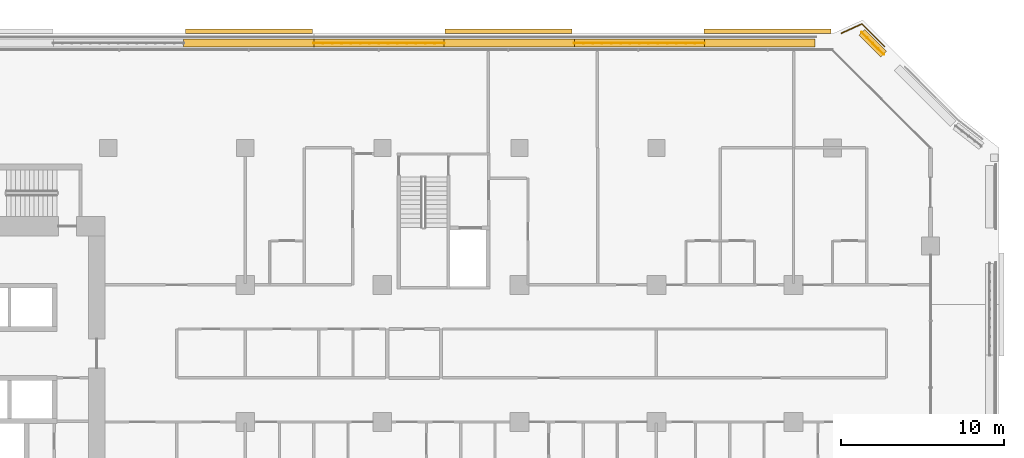
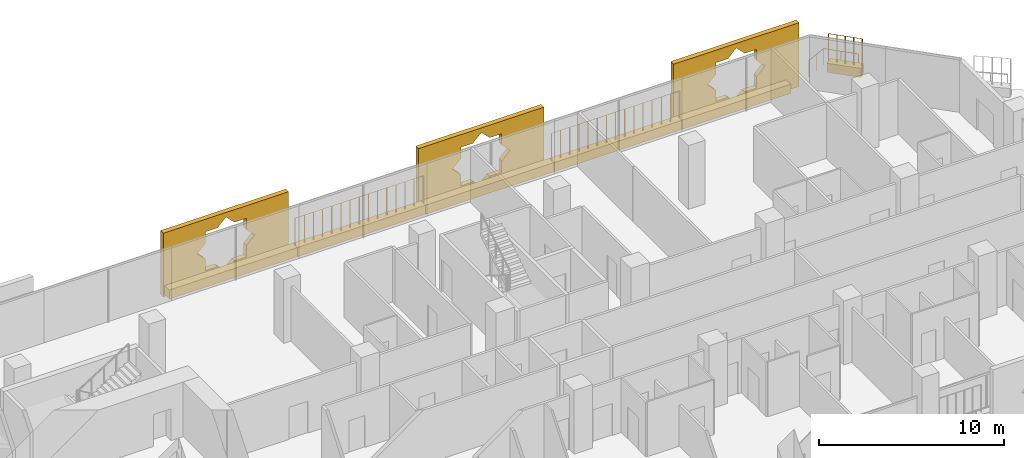
# One storey, part 26 of 26: 9 coverings, 4 railings.
"""IFC4 building model written with IfcOpenShell, lengths in metres."""

from ifc_helpers import new_model, si_unit, direction, frame, origin, origin_2d, place, context, subcontext, project, spatial, polyline, rectangle, circle, outline, extrude, material, material_profile, profile_set, type_object, element, save


model = new_model("IFC4")

# Units and contexts
model_context = context("Model", 3, precision=1e-05, world=origin(), true_north=direction((0.0, 1.0)))
body_context = subcontext(model_context, "Body", "Model", "MODEL_VIEW")
ifc_project = project(units=[si_unit("LENGTHUNIT", "METRE"), si_unit("AREAUNIT", "SQUARE_METRE"), si_unit("VOLUMEUNIT", "CUBIC_METRE"), si_unit("PLANEANGLEUNIT", "RADIAN"), si_unit("MASSUNIT", "GRAM", prefix="KILO")], contexts=[model_context])

# Site, building, storey
site_placement = place(None, origin())
site = spatial("IfcSite", under=ifc_project, at=site_placement, CompositionType="ELEMENT")
building_placement = place(site_placement, origin())
building = spatial("IfcBuilding", under=site, at=building_placement, Name="Kawkab Arch Medical Tower", CompositionType="ELEMENT")
storey_placement = place(building_placement, frame((0.0, 0.0, 119.800048828125)))
storey = spatial("IfcBuildingStorey", under=building, at=storey_placement, Name="L27", CompositionType="ELEMENT", Elevation=119.800048828125)

# Railing
ifc_material_1 = material(Name="Bronze anodised aluminium guard", Category="aluminium")
railing_type_1 = type_object("IfcRailingType", Name="Loggia and terrace guard 1100", PredefinedType="GUARDRAIL", material=ifc_material_1)
railing_1_placement = place(storey_placement, frame((70.14794921875, 7.030029296875, 0.0)))
element("IfcRailing", 1, at=railing_1_placement, inside=storey, type_object=railing_type_1, Name="Guard L27.LOG-01.1.2", PredefinedType="GUARDRAIL", context=body_context, shape_type="SweptSolid", body=[
    extrude(circle(Radius=0.02392578125, at=origin_2d()), frame((0.0, 0.0, 1.076171875), z_axis=(0.910085591366, 0.414420337807, 0.0), x_axis=(-0.414420337807, 0.910085591366, 0.0)), (0.0, 0.0, 1.0), 1.370361328125),
    extrude(circle(Radius=0.02392578125, at=origin_2d()), frame((1.2470703125, 0.56787109375, 1.076171875), z_axis=(0.707106781187, -0.707106781187, 0.0), x_axis=(0.707106781187, 0.707106781187, 0.0)), (0.0, 0.0, 1.0), 1.944580078125),
    extrude(circle(Radius=0.02099609375, at=origin_2d()), origin(), (0.0, 0.0, 1.0), 1.052001953125),
    extrude(circle(Radius=0.02099609375, at=origin_2d()), frame((0.62353515625, 0.283935546875, 0.0)), (0.0, 0.0, 1.0), 1.052001953125),
    extrude(circle(Radius=0.02099609375, at=origin_2d()), frame((1.2470703125, 0.56787109375, 0.0)), (0.0, 0.0, 1.0), 1.052001953125),
    extrude(circle(Radius=0.02099609375, at=origin_2d()), frame((1.9345703125, -0.11962890625, 0.0)), (0.0, 0.0, 1.0), 1.052001953125),
    extrude(circle(Radius=0.02099609375, at=origin_2d()), frame((2.6220703125, -0.80712890625, 0.0)), (0.0, 0.0, 1.0), 1.052001953125),
])

# Coverings
ifc_material_2 = material(Name="Bronze anodised aluminium mashrabiya panel, eight-point star pattern", Category="aluminium")
ifc_material_profile_1 = material_profile(ifc_material_2, outline(polyline([(-3.89990234375, -2.10009765625), (3.89990234375, -2.10009765625), (3.89990234375, 2.10009765625), (-3.89990234375, 2.10009765625), (-3.89990234375, -2.10009765625)]), holes=[polyline([(1.800048828125, 0.0), (1.272705078125, 0.527099609375), (1.272705078125, 1.272705078125), (0.527099609375, 1.272705078125), (0.0, 1.800048828125), (-0.527099609375, 1.272705078125), (-1.272705078125, 1.272705078125), (-1.272705078125, 0.527099609375), (-1.800048828125, 0.0), (-1.272705078125, -0.527099609375), (-1.272705078125, -1.272705078125), (-0.527099609375, -1.272705078125), (0.0, -1.800048828125), (0.527099609375, -1.272705078125), (1.272705078125, -1.272705078125), (1.272705078125, -0.527099609375), (1.800048828125, 0.0)])]), Name="Mashrabiya panel 7800x4200")
ifc_profile_set_1 = profile_set([ifc_material_profile_1], Name="Bronze anodised aluminium mashrabiya panel, eight-point star pattern")
covering_type_1 = type_object("IfcCoveringType", Name="Mashrabiya panel 7800 x 4200", PredefinedType="USERDEFINED", material=ifc_profile_set_1)
for number, where, z_axis, x_axis, name in (
    (2, (33.82470703125, 7.0, 1.699951171875), (0.0, 1.0, 0.0), (-1.0, 0.0, 0.0), "Mashrabiya panel L27.LOG-01-01.7"),
    (3, (49.725830078125, 7.0, 1.699951171875), (0.0, 1.0, 0.0), (-1.0, 0.0, 0.0), "Mashrabiya panel L27.LOG-01-01.8"),
    (4, (65.60693359375, 7.0, 1.699951171875), (0.0, 1.0, 0.0), (-1.0, 0.0, 0.0), "Mashrabiya panel L27.LOG-01-01.9"),
):
    element("IfcCovering", number, at=place(storey_placement, frame(where, z_axis=z_axis, x_axis=x_axis)), inside=storey, type_object=covering_type_1, Name=name, ObjectType="SCREEN", PredefinedType="USERDEFINED", context=body_context, shape_type="SweptSolid", body=[
        extrude(outline(polyline([(-3.89990234375, -2.10009765625), (3.89990234375, -2.10009765625), (3.89990234375, 2.10009765625), (-3.89990234375, 2.10009765625), (-3.89990234375, -2.10009765625)]), holes=[polyline([(1.800048828125, 0.0), (1.272705078125, 0.527099609375), (1.272705078125, 1.272705078125), (0.527099609375, 1.272705078125), (0.0, 1.800048828125), (-0.527099609375, 1.272705078125), (-1.272705078125, 1.272705078125), (-1.272705078125, 0.527099609375), (-1.800048828125, 0.0), (-1.272705078125, -0.527099609375), (-1.272705078125, -1.272705078125), (-0.527099609375, -1.272705078125), (0.0, -1.800048828125), (0.527099609375, -1.272705078125), (1.272705078125, -1.272705078125), (1.272705078125, -0.527099609375), (1.800048828125, 0.0)])]), origin(), (0.0, 0.0, 1.0), 0.300048828125),
    ])
ifc_material_3 = material(Name="Planting soil in a precast trough", Category="concrete")
ifc_material_profile_2 = material_profile(ifc_material_3, rectangle(XDim=0.5, YDim=0.60009765625, at=origin_2d()), Name="Trough 500x600")
ifc_profile_set_2 = profile_set([ifc_material_profile_2], Name="Planting soil in a precast trough")
covering_type_2 = type_object("IfcCoveringType", Name="Planter trough 500 x 600", PredefinedType="USERDEFINED", material=ifc_profile_set_2)
for number, where, z_axis, x_axis, name in (
    (5, (29.819091796875, 6.419921875, 0.300048828125), (1.0, 0.0, 0.0), (0.0, 1.0, 0.0), "Planter L27.LOG-01-01.20"),
    (6, (37.800048828125, 6.419921875, 0.300048828125), (1.0, 0.0, 0.0), (0.0, 1.0, 0.0), "Planter L27.LOG-01-01.21"),
):
    element("IfcCovering", number, at=place(storey_placement, frame(where, z_axis=z_axis, x_axis=x_axis)), inside=storey, type_object=covering_type_2, Name=name, ObjectType="PLANTER", PredefinedType="USERDEFINED", context=body_context, shape_type="SweptSolid", body=[
        extrude(rectangle(XDim=0.5, YDim=0.60009765625, at=origin_2d()), origin(), (0.0, 0.0, 1.0), 7.98095703125),
    ])
covering_1_placement = place(storey_placement, frame((45.781005859375, 6.419921875, 0.300048828125), z_axis=(1.0, 0.0, 0.0), x_axis=(0.0, 1.0, 0.0)))
element("IfcCovering", 7, at=covering_1_placement, inside=storey, type_object=covering_type_2, Name="Planter L27.LOG-01-01.22", ObjectType="PLANTER", PredefinedType="USERDEFINED", context=body_context, shape_type="SweptSolid", body=[
    extrude(rectangle(XDim=0.5, YDim=0.60009765625, at=origin_2d()), origin(), (0.0, 0.0, 1.0), 7.98193359375),
])
covering_2_placement = place(storey_placement, frame((53.762939453125, 6.419921875, 0.300048828125), z_axis=(1.0, 0.0, 0.0), x_axis=(0.0, 1.0, 0.0)))
element("IfcCovering", 8, at=covering_2_placement, inside=storey, type_object=covering_type_2, Name="Planter L27.LOG-01-01.23", ObjectType="PLANTER", PredefinedType="USERDEFINED", context=body_context, shape_type="SweptSolid", body=[
    extrude(rectangle(XDim=0.5, YDim=0.60009765625, at=origin_2d()), origin(), (0.0, 0.0, 1.0), 7.98095703125),
])
covering_3_placement = place(storey_placement, frame((61.743896484375, 6.419921875, 0.300048828125), z_axis=(1.0, 0.0, 0.0), x_axis=(0.0, 1.0, 0.0)))
element("IfcCovering", 9, at=covering_3_placement, inside=storey, type_object=covering_type_2, Name="Planter L27.LOG-01-01.24", ObjectType="PLANTER", PredefinedType="USERDEFINED", context=body_context, shape_type="SweptSolid", body=[
    extrude(rectangle(XDim=0.5, YDim=0.60009765625, at=origin_2d()), origin(), (0.0, 0.0, 1.0), 6.776123046875),
])
covering_4_placement = place(storey_placement, frame((71.383056640625, 7.072998046875, 0.300048828125), z_axis=(0.707106781187, -0.707106781187, 0.0), x_axis=(0.707106781187, 0.707106781187, 0.0)))
element("IfcCovering", 10, at=covering_4_placement, inside=storey, type_object=covering_type_2, Name="Planter L27.LOG-01-01.25", ObjectType="PLANTER", PredefinedType="USERDEFINED", context=body_context, shape_type="SweptSolid", body=[
    extrude(rectangle(XDim=0.5, YDim=0.60009765625, at=origin_2d()), origin(), (0.0, 0.0, 1.0), 1.890625),
])

# Railings
ifc_material_4 = material(Name="Bronze anodised aluminium trellis for climbing plants", Category="aluminium")
railing_type_2 = type_object("IfcRailingType", Name="Planting trellis 2400", PredefinedType="USERDEFINED", material=ifc_material_4)
railing_2_placement = place(storey_placement, frame((37.800048828125, 6.419921875, 0.0)))
element("IfcRailing", 11, at=railing_2_placement, inside=storey, type_object=railing_type_2, Name="Planting trellis L27.LOG-01-01.21", ObjectType="TRELLIS", PredefinedType="USERDEFINED", context=body_context, shape_type="SweptSolid", body=[
    extrude(circle(Radius=0.01513671875, at=origin_2d()), frame((0.0, 0.0, 2.384765625), z_axis=(1.0, 0.0, 0.0), x_axis=(0.0, 1.0, 0.0)), (0.0, 0.0, 1.0), 7.98095703125),
    extrude(circle(Radius=0.030029296875, at=origin_2d()), origin(), (0.0, 0.0, 1.0), 2.369873046875),
    extrude(circle(Radius=0.030029296875, at=origin_2d()), frame((0.570068359375, 0.0, 0.0)), (0.0, 0.0, 1.0), 2.369873046875),
    extrude(circle(Radius=0.030029296875, at=origin_2d()), frame((1.14013671875, 0.0, 0.0)), (0.0, 0.0, 1.0), 2.369873046875),
    extrude(circle(Radius=0.030029296875, at=origin_2d()), frame((1.710205078125, 0.0, 0.0)), (0.0, 0.0, 1.0), 2.369873046875),
    extrude(circle(Radius=0.030029296875, at=origin_2d()), frame((2.2802734375, 0.0, 0.0)), (0.0, 0.0, 1.0), 2.369873046875),
    extrude(circle(Radius=0.030029296875, at=origin_2d()), frame((2.850341796875, 0.0, 0.0)), (0.0, 0.0, 1.0), 2.369873046875),
    extrude(circle(Radius=0.030029296875, at=origin_2d()), frame((3.42041015625, 0.0, 0.0)), (0.0, 0.0, 1.0), 2.369873046875),
    extrude(circle(Radius=0.030029296875, at=origin_2d()), frame((3.990478515625, 0.0, 0.0)), (0.0, 0.0, 1.0), 2.369873046875),
    extrude(circle(Radius=0.030029296875, at=origin_2d()), frame((4.560546875, 0.0, 0.0)), (0.0, 0.0, 1.0), 2.369873046875),
    extrude(circle(Radius=0.030029296875, at=origin_2d()), frame((5.130615234375, 0.0, 0.0)), (0.0, 0.0, 1.0), 2.369873046875),
    extrude(circle(Radius=0.030029296875, at=origin_2d()), frame((5.70068359375, 0.0, 0.0)), (0.0, 0.0, 1.0), 2.369873046875),
    extrude(circle(Radius=0.030029296875, at=origin_2d()), frame((6.270751953125, 0.0, 0.0)), (0.0, 0.0, 1.0), 2.369873046875),
    extrude(circle(Radius=0.030029296875, at=origin_2d()), frame((6.8408203125, 0.0, 0.0)), (0.0, 0.0, 1.0), 2.369873046875),
    extrude(circle(Radius=0.030029296875, at=origin_2d()), frame((7.410888671875, 0.0, 0.0)), (0.0, 0.0, 1.0), 2.369873046875),
    extrude(circle(Radius=0.030029296875, at=origin_2d()), frame((7.98095703125, 0.0, 0.0)), (0.0, 0.0, 1.0), 2.369873046875),
])
railing_3_placement = place(storey_placement, frame((53.762939453125, 6.419921875, 0.0)))
element("IfcRailing", 12, at=railing_3_placement, inside=storey, type_object=railing_type_2, Name="Planting trellis L27.LOG-01-01.23", ObjectType="TRELLIS", PredefinedType="USERDEFINED", context=body_context, shape_type="SweptSolid", body=[
    extrude(circle(Radius=0.01513671875, at=origin_2d()), frame((0.0, 0.0, 2.384765625), z_axis=(1.0, 0.0, 0.0), x_axis=(0.0, 1.0, 0.0)), (0.0, 0.0, 1.0), 7.98095703125),
    extrude(circle(Radius=0.030029296875, at=origin_2d()), origin(), (0.0, 0.0, 1.0), 2.369873046875),
    extrude(circle(Radius=0.030029296875, at=origin_2d()), frame((0.570068359375, 0.0, 0.0)), (0.0, 0.0, 1.0), 2.369873046875),
    extrude(circle(Radius=0.030029296875, at=origin_2d()), frame((1.14013671875, 0.0, 0.0)), (0.0, 0.0, 1.0), 2.369873046875),
    extrude(circle(Radius=0.030029296875, at=origin_2d()), frame((1.710205078125, 0.0, 0.0)), (0.0, 0.0, 1.0), 2.369873046875),
    extrude(circle(Radius=0.030029296875, at=origin_2d()), frame((2.2802734375, 0.0, 0.0)), (0.0, 0.0, 1.0), 2.369873046875),
    extrude(circle(Radius=0.030029296875, at=origin_2d()), frame((2.850341796875, 0.0, 0.0)), (0.0, 0.0, 1.0), 2.369873046875),
    extrude(circle(Radius=0.030029296875, at=origin_2d()), frame((3.42041015625, 0.0, 0.0)), (0.0, 0.0, 1.0), 2.369873046875),
    extrude(circle(Radius=0.030029296875, at=origin_2d()), frame((3.990478515625, 0.0, 0.0)), (0.0, 0.0, 1.0), 2.369873046875),
    extrude(circle(Radius=0.030029296875, at=origin_2d()), frame((4.560546875, 0.0, 0.0)), (0.0, 0.0, 1.0), 2.369873046875),
    extrude(circle(Radius=0.030029296875, at=origin_2d()), frame((5.130615234375, 0.0, 0.0)), (0.0, 0.0, 1.0), 2.369873046875),
    extrude(circle(Radius=0.030029296875, at=origin_2d()), frame((5.70068359375, 0.0, 0.0)), (0.0, 0.0, 1.0), 2.369873046875),
    extrude(circle(Radius=0.030029296875, at=origin_2d()), frame((6.270751953125, 0.0, 0.0)), (0.0, 0.0, 1.0), 2.369873046875),
    extrude(circle(Radius=0.030029296875, at=origin_2d()), frame((6.8408203125, 0.0, 0.0)), (0.0, 0.0, 1.0), 2.369873046875),
    extrude(circle(Radius=0.030029296875, at=origin_2d()), frame((7.410888671875, 0.0, 0.0)), (0.0, 0.0, 1.0), 2.369873046875),
    extrude(circle(Radius=0.030029296875, at=origin_2d()), frame((7.98095703125, 0.0, 0.0)), (0.0, 0.0, 1.0), 2.369873046875),
])
railing_4_placement = place(storey_placement, frame((71.383056640625, 7.072998046875, 0.0)))
element("IfcRailing", 13, at=railing_4_placement, inside=storey, type_object=railing_type_2, Name="Planting trellis L27.LOG-01-01.25", ObjectType="TRELLIS", PredefinedType="USERDEFINED", context=body_context, shape_type="SweptSolid", body=[
    extrude(circle(Radius=0.01513671875, at=origin_2d()), frame((0.0, 0.0, 2.384765625), z_axis=(0.707106781187, -0.707106781187, 0.0), x_axis=(0.707106781187, 0.707106781187, 0.0)), (0.0, 0.0, 1.0), 1.890625),
    extrude(circle(Radius=0.030029296875, at=origin_2d()), origin(), (0.0, 0.0, 1.0), 2.369873046875),
    extrude(circle(Radius=0.030029296875, at=origin_2d()), frame((0.334228515625, -0.334228515625, 0.0)), (0.0, 0.0, 1.0), 2.369873046875),
    extrude(circle(Radius=0.030029296875, at=origin_2d()), frame((0.66845703125, -0.66845703125, 0.0)), (0.0, 0.0, 1.0), 2.369873046875),
    extrude(circle(Radius=0.030029296875, at=origin_2d()), frame((1.002685546875, -1.002685546875, 0.0)), (0.0, 0.0, 1.0), 2.369873046875),
    extrude(circle(Radius=0.030029296875, at=origin_2d()), frame((1.3369140625, -1.3369140625, 0.0)), (0.0, 0.0, 1.0), 2.369873046875),
])

save(model, "model.ifc")
